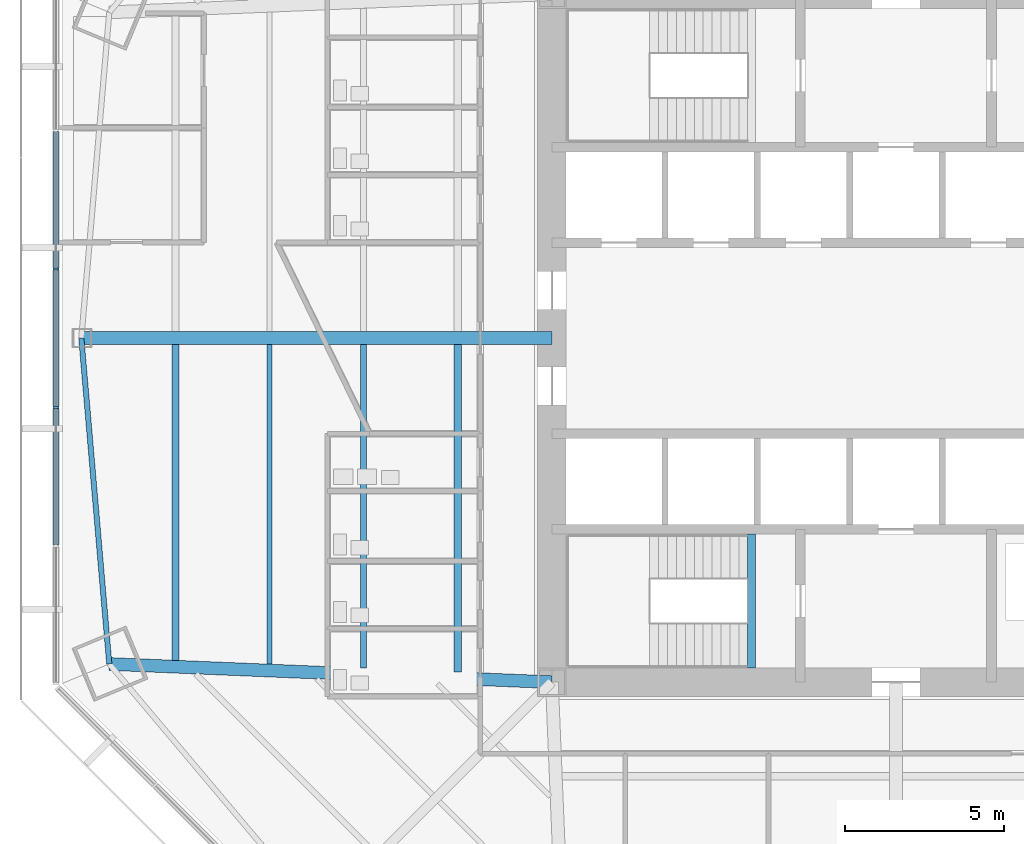
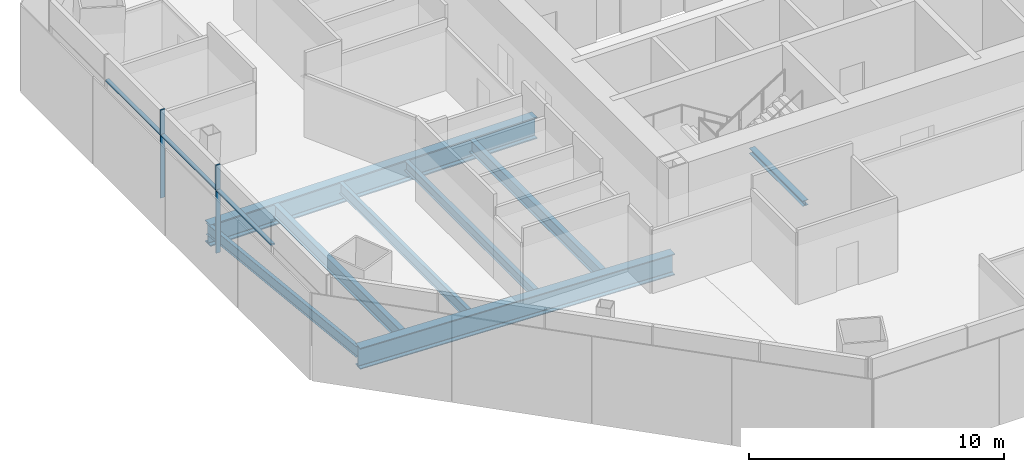
# One storey, part 3 of 15: 8 beams, 5 members, 1 element without a shape of its own.
"""IFC4 building model written with IfcOpenShell, lengths in metres."""

from ifc_helpers import new_model, si_unit, direction, frame, origin, origin_2d, place, context, subcontext, project, spatial, rectangle, i_section, extrude, source, transform, mapped, material, material_profile, profile_set, type_object, type_shapes, element, aggregate, save


model = new_model("IFC4")

# Units and contexts
model_context = context("Model", 3, precision=1e-05, world=origin(), true_north=direction((0.0, 1.0)))
body_context = subcontext(model_context, "Body", "Model", "MODEL_VIEW")
ifc_project = project(units=[si_unit("LENGTHUNIT", "METRE"), si_unit("AREAUNIT", "SQUARE_METRE"), si_unit("VOLUMEUNIT", "CUBIC_METRE"), si_unit("PLANEANGLEUNIT", "RADIAN"), si_unit("MASSUNIT", "GRAM", prefix="KILO")], contexts=[model_context])

# Site, building, storey
site_placement = place(None, origin())
site = spatial("IfcSite", under=ifc_project, at=site_placement, CompositionType="ELEMENT")
building_placement = place(site_placement, origin())
building = spatial("IfcBuilding", under=site, at=building_placement, Name="Mashrafa Tower", CompositionType="ELEMENT")
storey_placement = place(building_placement, frame((0.0, 0.0, 58.199951171875)))
storey = spatial("IfcBuildingStorey", under=building, at=storey_placement, Name="L12", CompositionType="ELEMENT", Elevation=58.199951171875)

# Beams
ifc_material_1 = material(Name="Steel ASTM A992", Category="steel")
ifc_material_profile_1 = material_profile(ifc_material_1, i_section(OverallWidth=0.191162109375, OverallDepth=0.459716796875, WebThickness=0.010009765625, FlangeThickness=0.01611328125, FilletRadius=0.01025390625, at=origin_2d()), Name="W18X55")
ifc_profile_set_1 = profile_set([ifc_material_profile_1], Name="Steel ASTM A992")
beam_type_1 = type_object("IfcBeamType", Name="Beam W18X55", PredefinedType="BEAM", material=ifc_profile_set_1)
beam_1_placement = place(storey_placement, frame((-16.709228515625, -10.356201171875, -0.394775390625), z_axis=(0.0, 1.0, 0.0), x_axis=(-1.0, 0.0, 0.0)))
element("IfcBeam", 1, at=beam_1_placement, inside=storey, type_object=beam_type_1, Name="Floor beam L12 007", PredefinedType="BEAM", context=body_context, shape_type="SweptSolid", body=[
    extrude(i_section(OverallWidth=0.191162109375, OverallDepth=0.459716796875, WebThickness=0.010009765625, FlangeThickness=0.01611328125, FilletRadius=0.01025390625, at=origin_2d()), origin(), (0.0, 0.0, 1.0), 10.151611328125),
])
ifc_material_2 = material(Name="Steel ASTM A992", Category="steel")
ifc_material_profile_2 = material_profile(ifc_material_2, i_section(OverallWidth=0.165771484375, OverallDepth=0.5283203125, WebThickness=0.009765625, FlangeThickness=0.013671875, FilletRadius=0.012939453125, at=origin_2d()), Name="W21X50")
ifc_profile_set_2 = profile_set([ifc_material_profile_2], Name="Steel ASTM A992")
beam_type_2 = type_object("IfcBeamType", Name="Beam W21X50", PredefinedType="BEAM", material=ifc_profile_set_2)
beam_2_placement = place(storey_placement, frame((-19.663818359375, -10.23486328125, -0.42919921875), z_axis=(0.0, 1.0, 0.0), x_axis=(-1.0, 0.0, 0.0)))
element("IfcBeam", 2, at=beam_2_placement, inside=storey, type_object=beam_type_2, Name="Floor beam L12 004", PredefinedType="BEAM", context=body_context, shape_type="SweptSolid", body=[
    extrude(i_section(OverallWidth=0.165771484375, OverallDepth=0.5283203125, WebThickness=0.009765625, FlangeThickness=0.013671875, FilletRadius=0.012939453125, at=origin_2d()), origin(), (0.0, 0.0, 1.0), 10.0302734375),
])
beam_3_placement = place(storey_placement, frame((-25.572998046875, 0.0, -0.42919921875), z_axis=(0.08553670976, -0.996335019601, 0.0), x_axis=(0.996335019601, 0.08553670976, 0.0)))
element("IfcBeam", 3, at=beam_3_placement, inside=storey, type_object=beam_type_2, Name="Spandrel beam L12 073", PredefinedType="BEAM", context=body_context, shape_type="SweptSolid", body=[
    extrude(i_section(OverallWidth=0.165771484375, OverallDepth=0.5283203125, WebThickness=0.009765625, FlangeThickness=0.013671875, FilletRadius=0.012939453125, at=origin_2d()), origin(), (0.0, 0.0, 1.0), 10.2666015625),
])
ifc_material_3 = material(Name="Steel ASTM A992", Category="steel")
ifc_material_profile_3 = material_profile(ifc_material_3, i_section(OverallWidth=0.227783203125, OverallDepth=0.60205078125, WebThickness=0.010498046875, FlangeThickness=0.014892578125, FilletRadius=0.012939453125, at=origin_2d()), Name="W24X68")
ifc_profile_set_3 = profile_set([ifc_material_profile_3], Name="Steel ASTM A992")
beam_type_3 = type_object("IfcBeamType", Name="Beam W24X68", PredefinedType="BEAM", material=ifc_profile_set_3)
beam_4_placement = place(storey_placement, frame((-13.754638671875, -10.477783203125, -0.4658203125), z_axis=(0.0, 1.0, 0.0), x_axis=(-1.0, 0.0, 0.0)))
element("IfcBeam", 4, at=beam_4_placement, inside=storey, type_object=beam_type_3, Name="Floor beam L12 014", PredefinedType="BEAM", context=body_context, shape_type="SweptSolid", body=[
    extrude(i_section(OverallWidth=0.227783203125, OverallDepth=0.60205078125, WebThickness=0.010498046875, FlangeThickness=0.014892578125, FilletRadius=0.012939453125, at=origin_2d()), origin(), (0.0, 0.0, 1.0), 10.273193359375),
])
ifc_material_4 = material(Name="Steel ASTM A992", Category="steel")
ifc_material_profile_4 = material_profile(ifc_material_4, i_section(OverallWidth=0.228271484375, OverallDepth=0.607177734375, WebThickness=0.01123046875, FlangeThickness=0.017333984375, FilletRadius=0.0126953125, at=origin_2d()), Name="W24X76")
ifc_profile_set_4 = profile_set([ifc_material_profile_4], Name="Steel ASTM A992")
beam_type_4 = type_object("IfcBeamType", Name="Beam W24X76", PredefinedType="BEAM", material=ifc_profile_set_4)
beam_5_placement = place(storey_placement, frame((-22.618408203125, -10.11328125, -0.468505859375), z_axis=(0.0, 1.0, 0.0), x_axis=(-1.0, 0.0, 0.0)))
element("IfcBeam", 5, at=beam_5_placement, inside=storey, type_object=beam_type_4, Name="Floor beam L12 001", PredefinedType="BEAM", context=body_context, shape_type="SweptSolid", body=[
    extrude(i_section(OverallWidth=0.228271484375, OverallDepth=0.607177734375, WebThickness=0.01123046875, FlangeThickness=0.017333984375, FilletRadius=0.0126953125, at=origin_2d()), origin(), (0.0, 0.0, 1.0), 9.90869140625),
])
ifc_material_5 = material(Name="Steel ASTM A992", Category="steel")
ifc_material_profile_5 = material_profile(ifc_material_5, i_section(OverallWidth=0.4013671875, OverallDepth=1.010986328125, WebThickness=0.023681640625, FlangeThickness=0.0419921875, FilletRadius=0.02001953125, at=origin_2d()), Name="W40X297")
ifc_profile_set_5 = profile_set([ifc_material_profile_5], Name="Steel ASTM A992")
beam_type_5 = type_object("IfcBeamType", Name="Beam W40X297", PredefinedType="BEAM", material=ifc_profile_set_5)
beam_6_placement = place(storey_placement, frame((-10.800048828125, -10.800048828125, -0.67041015625), z_axis=(-0.999156553067, 0.041063152138, 0.0), x_axis=(-0.041063152138, -0.999156553067, 0.0)))
element("IfcBeam", 6, at=beam_6_placement, inside=storey, type_object=beam_type_5, Name="Radial girder L12 057", PredefinedType="BEAM", context=body_context, shape_type="SweptSolid", body=[
    extrude(i_section(OverallWidth=0.4013671875, OverallDepth=1.010986328125, WebThickness=0.023681640625, FlangeThickness=0.0419921875, FilletRadius=0.02001953125, at=origin_2d()), origin(), (0.0, 0.0, 1.0), 13.906494140625),
])
ifc_material_6 = material(Name="Steel ASTM A992", Category="steel")
ifc_material_profile_6 = material_profile(ifc_material_6, i_section(OverallWidth=0.408935546875, OverallDepth=1.04150390625, WebThickness=0.031005859375, FlangeThickness=0.055908203125, FilletRadius=0.020263671875, at=origin_2d()), Name="W40X397")
ifc_profile_set_6 = profile_set([ifc_material_profile_6], Name="Steel ASTM A992")
beam_type_6 = type_object("IfcBeamType", Name="Beam W40X397", PredefinedType="BEAM", material=ifc_profile_set_6)
beam_7_placement = place(storey_placement, frame((-10.800048828125, 0.0, -0.685546875), z_axis=(-1.0, 0.0, 0.0), x_axis=(0.0, -1.0, 0.0)))
element("IfcBeam", 7, at=beam_7_placement, inside=storey, type_object=beam_type_6, Name="Radial girder L12 060", PredefinedType="BEAM", context=body_context, shape_type="SweptSolid", body=[
    extrude(i_section(OverallWidth=0.408935546875, OverallDepth=1.04150390625, WebThickness=0.031005859375, FlangeThickness=0.055908203125, FilletRadius=0.020263671875, at=origin_2d()), origin(), (0.0, 0.0, 1.0), 14.77294921875),
])
ifc_material_7 = material(Name="Steel ASTM A992", Category="steel")
ifc_material_profile_7 = material_profile(ifc_material_7, i_section(OverallWidth=0.25390625, OverallDepth=0.25390625, WebThickness=0.008544921875, FlangeThickness=0.01416015625, FilletRadius=0.010009765625, at=origin_2d()), Name="W10X49")
ifc_profile_set_7 = profile_set([ifc_material_profile_7], Name="Steel ASTM A992")
beam_type_7 = type_object("IfcBeamType", Name="Hoistway beam W10X49", PredefinedType="BEAM", material=ifc_profile_set_7)
beam_8_placement = place(storey_placement, frame((-4.530029296875, -10.35009765625, -0.326904296875), z_axis=(0.0, 1.0, 0.0), x_axis=(-1.0, 0.0, 0.0)))
element("IfcBeam", 8, at=beam_8_placement, inside=storey, type_object=beam_type_7, Name="Stair S3 landing beam L12", PredefinedType="BEAM", context=body_context, shape_type="SweptSolid", body=[
    extrude(i_section(OverallWidth=0.25390625, OverallDepth=0.25390625, WebThickness=0.008544921875, FlangeThickness=0.01416015625, FilletRadius=0.010009765625, at=origin_2d()), origin(), (0.0, 0.0, 1.0), 4.2001953125),
])

# Curtain wall, members
ifc_material_8 = material(Name="Unitised aluminium curtain wall", Category="aluminium")
curtain_wall_type = type_object("IfcCurtainWallType", Name="Office curtain wall, zone 1 CW-A 200 deep", PredefinedType="NOTDEFINED", material=ifc_material_8)
curtain_wall_placement = place(storey_placement, origin())
curtain_wall = element("IfcCurtainWall", 9, at=curtain_wall_placement, inside=storey, type_object=curtain_wall_type, Name="Office curtain wall, zone 1 L12 west", PredefinedType="NOTDEFINED")
ifc_material_9 = material(Name="Extruded aluminium mullion", Category="aluminium")
ifc_material_profile_8 = material_profile(ifc_material_9, rectangle(XDim=0.199951171875, YDim=0.06494140625, at=origin_2d()), Name="Mullion 65x200")
ifc_profile_set_8 = profile_set([ifc_material_profile_8], Name="Extruded aluminium mullion")
member_type_1 = type_object("IfcMemberType", Name="Mullion CW-A 65 x 200", PredefinedType="MULLION", material=ifc_profile_set_8)
shared_shape_1 = source(origin(), body_context, "Body", "SweptSolid", [
    extrude(rectangle(XDim=0.199951171875, YDim=0.06494140625, at=origin_2d()), origin(), (0.0, 0.0, 1.0), 4.199951171875),
])
type_shapes(member_type_1, [shared_shape_1])
member_1_placement = place(storey_placement, frame((-26.368408203125, 2.174072265625, 0.0), z_axis=(0.0, 0.0, 1.0), x_axis=(1.0, 0.0, 0.0)))
member_1 = element("IfcMember", 10, at=member_1_placement, type_object=member_type_1, Name="CW-A mullion 3", PredefinedType="MULLION", context=body_context, shape_type="MappedRepresentation", body=[
    mapped(shared_shape_1, transform((0.0, 0.0, 0.0))),
])
member_2_placement = place(storey_placement, frame((-26.368408203125, -2.174072265625, 0.0), z_axis=(0.0, 0.0, 1.0), x_axis=(1.0, 0.0, 0.0)))
member_2 = element("IfcMember", 11, at=member_2_placement, type_object=member_type_1, Name="CW-A mullion 4", PredefinedType="MULLION", context=body_context, shape_type="MappedRepresentation", body=[
    mapped(shared_shape_1, transform((0.0, 0.0, 0.0))),
])
ifc_material_10 = material(Name="Extruded aluminium transom", Category="aluminium")
ifc_material_profile_9 = material_profile(ifc_material_10, rectangle(XDim=0.159912109375, YDim=0.080078125, at=origin_2d()), Name="Transom 80x160")
ifc_profile_set_9 = profile_set([ifc_material_profile_9], Name="Extruded aluminium transom")
member_type_2 = type_object("IfcMemberType", Name="Transom CW-A 80 x 160", PredefinedType="MULLION", material=ifc_profile_set_9)
shared_shape_2 = source(origin(), body_context, "Body", "SweptSolid", [
    extrude(rectangle(XDim=0.159912109375, YDim=0.080078125, at=origin_2d()), origin(), (0.0, 0.0, 1.0), 4.283447265625),
])
member_3_placement = place(storey_placement, frame((-26.368408203125, 6.489990234375, 3.0), z_axis=(0.0, -1.0, 0.0), x_axis=(1.0, 0.0, 0.0)))
member_3 = element("IfcMember", 12, at=member_3_placement, type_object=member_type_2, Name="CW-A transom 2", PredefinedType="MULLION", context=body_context, shape_type="MappedRepresentation", body=[
    mapped(shared_shape_2, transform((0.0, 0.0, 0.0))),
])
member_4_placement = place(storey_placement, frame((-26.368408203125, -2.20654296875, 3.0), z_axis=(0.0, -1.0, 0.0), x_axis=(1.0, 0.0, 0.0)))
member_4 = element("IfcMember", 13, at=member_4_placement, type_object=member_type_2, Name="CW-A transom 4", PredefinedType="MULLION", context=body_context, shape_type="MappedRepresentation", body=[
    mapped(shared_shape_2, transform((0.0, 0.0, 0.0))),
])
shared_shape_3 = source(origin(), body_context, "Body", "SweptSolid", [
    extrude(rectangle(XDim=0.159912109375, YDim=0.080078125, at=origin_2d()), origin(), (0.0, 0.0, 1.0), 4.283203125),
])
type_shapes(member_type_2, [shared_shape_2, shared_shape_3])
member_5_placement = place(storey_placement, frame((-26.368408203125, 2.1416015625, 3.0), z_axis=(0.0, -1.0, 0.0), x_axis=(1.0, 0.0, 0.0)))
member_5 = element("IfcMember", 14, at=member_5_placement, type_object=member_type_2, Name="CW-A transom 3", PredefinedType="MULLION", context=body_context, shape_type="MappedRepresentation", body=[
    mapped(shared_shape_3, transform((0.0, 0.0, 0.0))),
])
aggregate(curtain_wall, [member_1, member_2, member_3, member_5, member_4])

save(model, "model.ifc")
